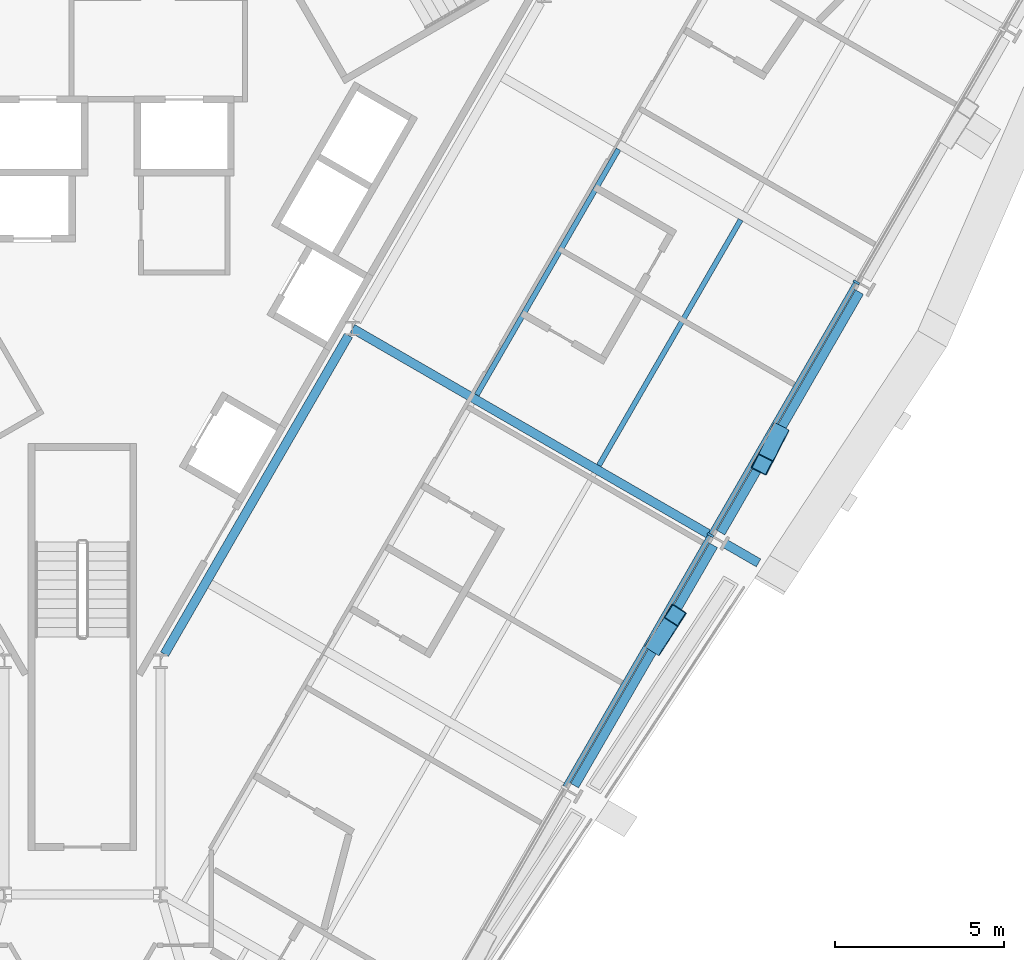
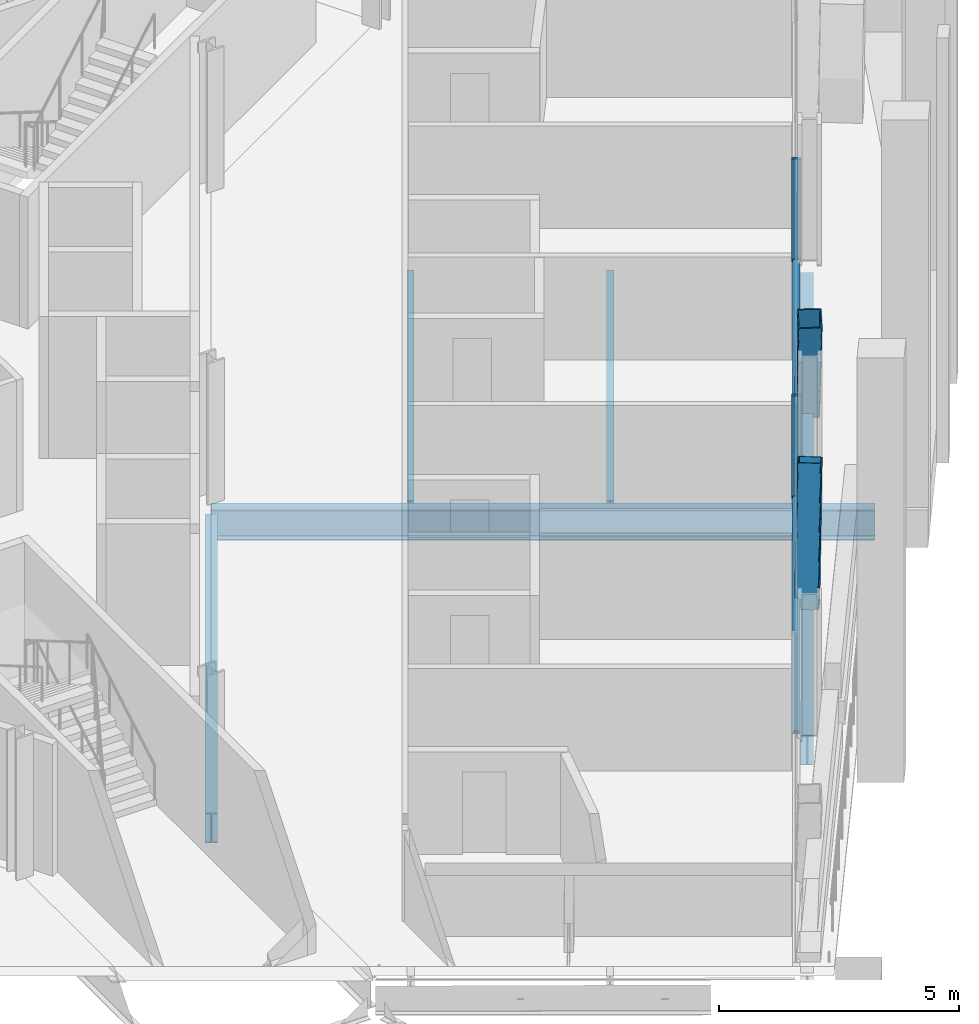
# One storey, part 6 of 19: 7 beams, 6 members, 1 element without a shape of its own.
"""IFC4 building model written with IfcOpenShell, lengths in metres."""

from ifc_helpers import new_model, si_unit, direction, frame, origin, origin_2d, place, context, subcontext, project, spatial, rectangle, hollow_rectangle, i_section, extrude, material, material_profile, profile_set, type_object, element, aggregate, save


model = new_model("IFC4")

# Units and contexts
model_context = context("Model", 3, precision=1e-05, world=origin(), true_north=direction((0.0, 1.0)))
body_context = subcontext(model_context, "Body", "Model", "MODEL_VIEW")
ifc_project = project(units=[si_unit("LENGTHUNIT", "METRE"), si_unit("AREAUNIT", "SQUARE_METRE"), si_unit("VOLUMEUNIT", "CUBIC_METRE"), si_unit("PLANEANGLEUNIT", "RADIAN"), si_unit("MASSUNIT", "GRAM", prefix="KILO")], contexts=[model_context])

# Site, building, storey
site_placement = place(None, origin())
site = spatial("IfcSite", under=ifc_project, at=site_placement, CompositionType="ELEMENT")
building_placement = place(site_placement, origin())
building = spatial("IfcBuilding", under=site, at=building_placement, Name="Verrane Prism Tower", CompositionType="ELEMENT")
storey_placement = place(building_placement, frame((0.0, 0.0, 76.39990234375)))
storey = spatial("IfcBuildingStorey", under=building, at=storey_placement, Name="L17", CompositionType="ELEMENT", Elevation=76.39990234375)

# Beam
ifc_material_1 = material(Name="Steel A992", Category="steel")
ifc_material_profile_1 = material_profile(ifc_material_1, i_section(OverallWidth=0.2666015625, OverallDepth=0.7568359375, WebThickness=0.013916015625, FlangeThickness=0.019287109375, FilletRadius=0.0166015625, at=origin_2d()), Name="W30x108")
ifc_profile_set_1 = profile_set([ifc_material_profile_1], Name="Steel A992")
beam_type_1 = type_object("IfcBeamType", Name="Core ring girder W30x108", PredefinedType="BEAM", material=ifc_profile_set_1)
beam_1_placement = place(storey_placement, frame((2.42041015625, -14.211669921875, -0.62841796875), z_axis=(0.500013103396, 0.866017838403, 0.0), x_axis=(-0.866017838403, 0.500013103396, 0.0)))
element("IfcBeam", 1, at=beam_1_placement, inside=storey, type_object=beam_type_1, Name="Core ring girder L17", PredefinedType="BEAM", context=body_context, shape_type="SweptSolid", body=[
    extrude(i_section(OverallWidth=0.2666015625, OverallDepth=0.7568359375, WebThickness=0.013916015625, FlangeThickness=0.019287109375, FilletRadius=0.0166015625, at=origin_2d()), origin(), (0.0, 0.0, 1.0), 10.858154296875),
])

# Members
ifc_material_2 = material(Name="Steel A1085 Grade A", Category="steel")
ifc_material_profile_2 = material_profile(ifc_material_2, hollow_rectangle(XDim=0.508056640625, YDim=0.508056640625, WallThickness=0.025390625, InnerFilletRadius=0.0126953125, OuterFilletRadius=0.0380859375, at=origin_2d()), Name="HSS20x20x1")
ifc_profile_set_2 = profile_set([ifc_material_profile_2], Name="Steel A1085 Grade A")
member_type_1 = type_object("IfcMemberType", Name="Facade brace HSS20x20x1", PredefinedType="BRACE", material=ifc_profile_set_2)
member_1_placement = place(storey_placement, frame((16.92724609375, -13.925048828125, -0.242431640625), z_axis=(0.175493454399, 0.271573240593, 0.946282210789), x_axis=(-0.839895013183, 0.542748898507, 0.0)))
element("IfcMember", 2, at=member_1_placement, inside=storey, type_object=member_type_1, Name="Facade brace SE2 L17", PredefinedType="BRACE", context=body_context, shape_type="SweptSolid", body=[
    extrude(hollow_rectangle(XDim=0.508056640625, YDim=0.508056640625, WallThickness=0.025390625, InnerFilletRadius=0.0126953125, OuterFilletRadius=0.0380859375, at=origin_2d()), origin(), (0.0, 0.0, 1.0), 3.1787109375),
])
member_2_placement = place(storey_placement, frame((20.5205078125, -7.699951171875, -0.242431640625), z_axis=(-0.147378112413, -0.287921075266, 0.946245817111), x_axis=(0.890160824232, -0.455646471513, 0.0)))
element("IfcMember", 3, at=member_2_placement, inside=storey, type_object=member_type_1, Name="Facade brace SE3 L17", PredefinedType="BRACE", context=body_context, shape_type="SweptSolid", body=[
    extrude(hollow_rectangle(XDim=0.508056640625, YDim=0.508056640625, WallThickness=0.025390625, InnerFilletRadius=0.0126953125, OuterFilletRadius=0.0380859375, at=origin_2d()), origin(), (0.0, 0.0, 1.0), 3.178955078125),
])

# Beams
ifc_material_3 = material(Name="Steel A992", Category="steel")
ifc_material_profile_3 = material_profile(ifc_material_3, i_section(OverallWidth=0.15234375, OverallDepth=0.449462890625, WebThickness=0.007568359375, FlangeThickness=0.0107421875, FilletRadius=0.01025390625, at=origin_2d()), Name="W18x35")
ifc_profile_set_3 = profile_set([ifc_material_profile_3], Name="Steel A992")
beam_type_2 = type_object("IfcBeamType", Name="Floor beam W18x35", PredefinedType="BEAM", material=ifc_profile_set_3)
beam_2_placement = place(storey_placement, frame((15.234619140625, -8.64306640625, -0.384765625), z_axis=(0.500002862074, 0.866023751359, 0.0), x_axis=(-0.866023751359, 0.500002862074, 0.0)))
element("IfcBeam", 4, at=beam_2_placement, inside=storey, type_object=beam_type_2, Name="Floor beam L17", PredefinedType="BEAM", context=body_context, shape_type="SweptSolid", body=[
    extrude(i_section(OverallWidth=0.15234375, OverallDepth=0.449462890625, WebThickness=0.007568359375, FlangeThickness=0.0107421875, FilletRadius=0.01025390625, at=origin_2d()), origin(), (0.0, 0.0, 1.0), 8.36572265625),
])
beam_3_placement = place(storey_placement, frame((11.632568359375, -6.56201171875, -0.384765625), z_axis=(0.499990225416, 0.86603104707, 0.0), x_axis=(-0.86603104707, 0.499990225416, 0.0)))
element("IfcBeam", 5, at=beam_3_placement, inside=storey, type_object=beam_type_2, Name="Floor beam L17", PredefinedType="BEAM", context=body_context, shape_type="SweptSolid", body=[
    extrude(i_section(OverallWidth=0.15234375, OverallDepth=0.449462890625, WebThickness=0.007568359375, FlangeThickness=0.0107421875, FilletRadius=0.01025390625, at=origin_2d()), origin(), (0.0, 0.0, 1.0), 8.365966796875),
])

# Curtain wall, members
ifc_material_4 = material(Name="Aluminium framed insulated glazing", Category="aluminium")
curtain_wall_type = type_object("IfcCurtainWallType", Name="Curtain wall CW-A 8400 module", PredefinedType="NOTDEFINED", material=ifc_material_4)
curtain_wall_placement = place(storey_placement, origin())
curtain_wall = element("IfcCurtainWall", 6, at=curtain_wall_placement, inside=storey, type_object=curtain_wall_type, Name="Glazed curtain wall south-east face L17", PredefinedType="NOTDEFINED")
ifc_material_5 = material(Name="Aluminium alloy 6063-T6", Category="aluminium")
ifc_material_profile_4 = material_profile(ifc_material_5, rectangle(XDim=0.199951171875, YDim=0.070068359375, at=origin_2d()), Name="Mullion 70x200 aluminium")
ifc_profile_set_4 = profile_set([ifc_material_profile_4], Name="Aluminium alloy 6063-T6")
member_type_2 = type_object("IfcMemberType", Name="Mullion 70x200 aluminium", PredefinedType="MULLION", material=ifc_profile_set_4)
member_3_placement = place(storey_placement, frame((18.525146484375, -10.695556640625, 0.0), z_axis=(0.0, 0.0, 1.0), x_axis=(-0.866025845387, 0.499999235121, 0.0)))
member_3 = element("IfcMember", 7, at=member_3_placement, type_object=member_type_2, Name="CW17.6 mullion 4", PredefinedType="MULLION", context=body_context, shape_type="SweptSolid", body=[
    extrude(rectangle(XDim=0.199951171875, YDim=0.070068359375, at=origin_2d()), origin(), (0.0, 0.0, 1.0), 2.613037109375),
])
member_4_placement = place(storey_placement, frame((22.828857421875, -3.2412109375, 0.0), z_axis=(0.0, 0.0, 1.0), x_axis=(-0.866025845387, 0.499999235121, 0.0)))
member_4 = element("IfcMember", 8, at=member_4_placement, type_object=member_type_2, Name="CW17.6 mullion 5", PredefinedType="MULLION", context=body_context, shape_type="SweptSolid", body=[
    extrude(rectangle(XDim=0.199951171875, YDim=0.070068359375, at=origin_2d()), origin(), (0.0, 0.0, 1.0), 2.613037109375),
])

# Beams
ifc_material_6 = material(Name="Steel A992", Category="steel")
ifc_material_profile_5 = material_profile(ifc_material_6, i_section(OverallWidth=0.2666015625, OverallDepth=0.76708984375, WebThickness=0.014892578125, FlangeThickness=0.023681640625, FilletRadius=0.0166015625, at=origin_2d()), Name="W30x124")
ifc_profile_set_5 = profile_set([ifc_material_profile_5], Name="Steel A992")
beam_type_3 = type_object("IfcBeamType", Name="Radial girder W30x124", PredefinedType="BEAM", material=ifc_profile_set_5)
beam_4_placement = place(storey_placement, frame((18.510498046875, -10.690185546875, -0.603515625), z_axis=(-0.866026613699, 0.499997904361, 0.0), x_axis=(-0.499997904361, -0.866026613699, 0.0)))
element("IfcBeam", 9, at=beam_4_placement, inside=storey, type_object=beam_type_3, Name="Radial girder L17", PredefinedType="BEAM", context=body_context, shape_type="SweptSolid", body=[
    extrude(i_section(OverallWidth=0.2666015625, OverallDepth=0.76708984375, WebThickness=0.014892578125, FlangeThickness=0.023681640625, FilletRadius=0.0166015625, at=origin_2d()), origin(), (0.0, 0.0, 1.0), 12.17333984375),
])
beam_5_placement = place(storey_placement, frame((18.93798828125, -10.93701171875, -0.603515625), z_axis=(0.865972209076, -0.500092124621, 0.0), x_axis=(0.500092124621, 0.865972209076, 0.0)))
element("IfcBeam", 10, at=beam_5_placement, inside=storey, type_object=beam_type_3, Name="Cantilever girder L17", PredefinedType="BEAM", context=body_context, shape_type="SweptSolid", body=[
    extrude(i_section(OverallWidth=0.2666015625, OverallDepth=0.76708984375, WebThickness=0.014892578125, FlangeThickness=0.023681640625, FilletRadius=0.0166015625, at=origin_2d()), origin(), (0.0, 0.0, 1.0), 1.162353515625),
])
ifc_material_7 = material(Name="Steel A992", Category="steel")
ifc_material_profile_6 = material_profile(ifc_material_7, i_section(OverallWidth=0.2666015625, OverallDepth=0.7568359375, WebThickness=0.013916015625, FlangeThickness=0.019287109375, FilletRadius=0.0166015625, at=origin_2d()), Name="W30x108")
ifc_profile_set_6 = profile_set([ifc_material_profile_6], Name="Steel A992")
beam_type_4 = type_object("IfcBeamType", Name="Spandrel beam W30x108", PredefinedType="SPANDREL", material=ifc_profile_set_6)
beam_6_placement = place(storey_placement, frame((14.51904296875, -18.089111328125, -0.538330078125), z_axis=(0.500624815953, 0.865664365474, 0.0), x_axis=(-0.865664365474, 0.500624815953, 0.0)))
element("IfcBeam", 11, at=beam_6_placement, inside=storey, type_object=beam_type_4, Name="Spandrel beam L17", PredefinedType="SPANDREL", context=body_context, shape_type="SweptSolid", body=[
    extrude(i_section(OverallWidth=0.2666015625, OverallDepth=0.7568359375, WebThickness=0.013916015625, FlangeThickness=0.019287109375, FilletRadius=0.0166015625, at=origin_2d()), origin(), (0.0, 0.0, 1.0), 8.1875),
])
beam_7_placement = place(storey_placement, frame((18.833740234375, -10.62744140625, -0.538330078125), z_axis=(0.499236428345, 0.866465803488, 0.0), x_axis=(-0.866465803488, 0.499236428345, 0.0)))
element("IfcBeam", 12, at=beam_7_placement, inside=storey, type_object=beam_type_4, Name="Spandrel beam L17", PredefinedType="SPANDREL", context=body_context, shape_type="SweptSolid", body=[
    extrude(i_section(OverallWidth=0.2666015625, OverallDepth=0.7568359375, WebThickness=0.013916015625, FlangeThickness=0.019287109375, FilletRadius=0.0166015625, at=origin_2d()), origin(), (0.0, 0.0, 1.0), 8.191162109375),
])

# Member
ifc_material_8 = material(Name="Aluminium alloy 6063-T6", Category="aluminium")
ifc_material_profile_7 = material_profile(ifc_material_8, rectangle(XDim=0.14990234375, YDim=0.070068359375, at=origin_2d()), Name="Transom 70x150 aluminium")
ifc_profile_set_7 = profile_set([ifc_material_profile_7], Name="Aluminium alloy 6063-T6")
member_type_3 = type_object("IfcMemberType", Name="Transom 70x150 aluminium", PredefinedType="USERDEFINED", material=ifc_profile_set_7)
member_5_placement = place(storey_placement, frame((14.23876953125, -18.119384765625, 0.03515625), z_axis=(0.50001124802, 0.866018909639, 0.0), x_axis=(-0.866018909639, 0.50001124802, 0.0)))
member_5 = element("IfcMember", 13, at=member_5_placement, type_object=member_type_3, Name="CW17.6 transom 3", ObjectType="TRANSOM", PredefinedType="USERDEFINED", context=body_context, shape_type="SweptSolid", body=[
    extrude(rectangle(XDim=0.14990234375, YDim=0.070068359375, at=origin_2d()), origin(), (0.0, 0.0, 1.0), 8.537353515625),
])

member_6_placement = place(storey_placement, frame((18.54248046875, -10.665283203125, 0.03515625), z_axis=(0.499998865407, 0.866026058841, 0.0), x_axis=(-0.866026058841, 0.499998865407, 0.0)))
member_6 = element("IfcMember", 14, at=member_6_placement, type_object=member_type_3, Name="CW17.6 transom 4", ObjectType="TRANSOM", PredefinedType="USERDEFINED", context=body_context, shape_type="SweptSolid", body=[
    extrude(rectangle(XDim=0.14990234375, YDim=0.070068359375, at=origin_2d()), origin(), (0.0, 0.0, 1.0), 8.53759765625),
])

aggregate(curtain_wall, [member_3, member_4, member_5, member_6])

save(model, "model.ifc")
